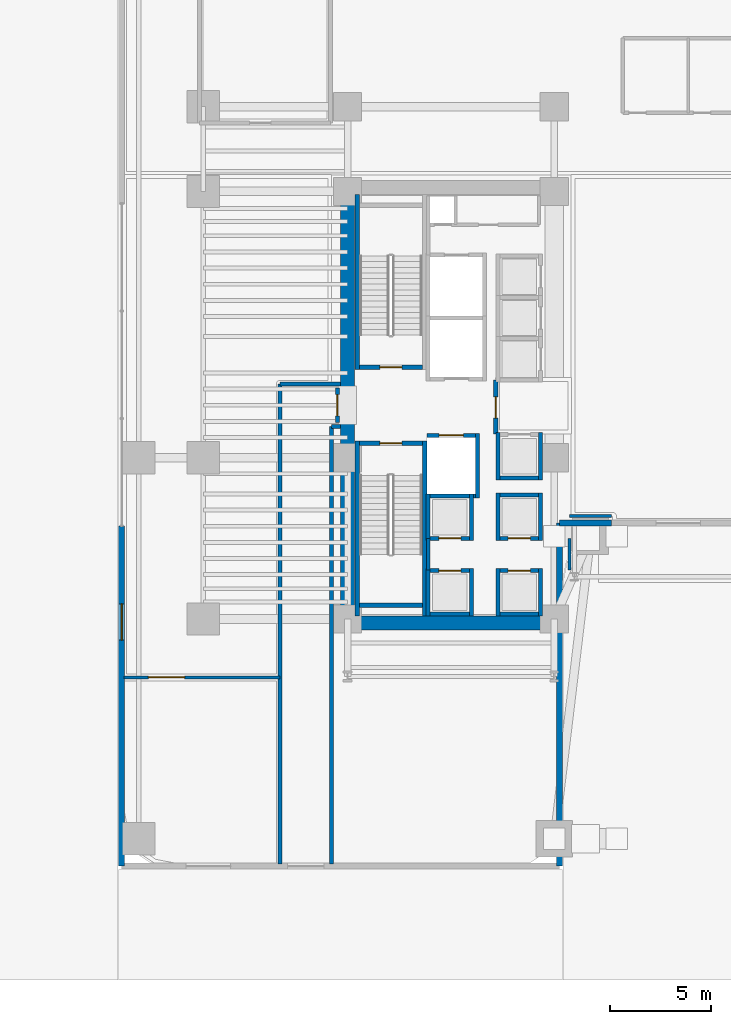
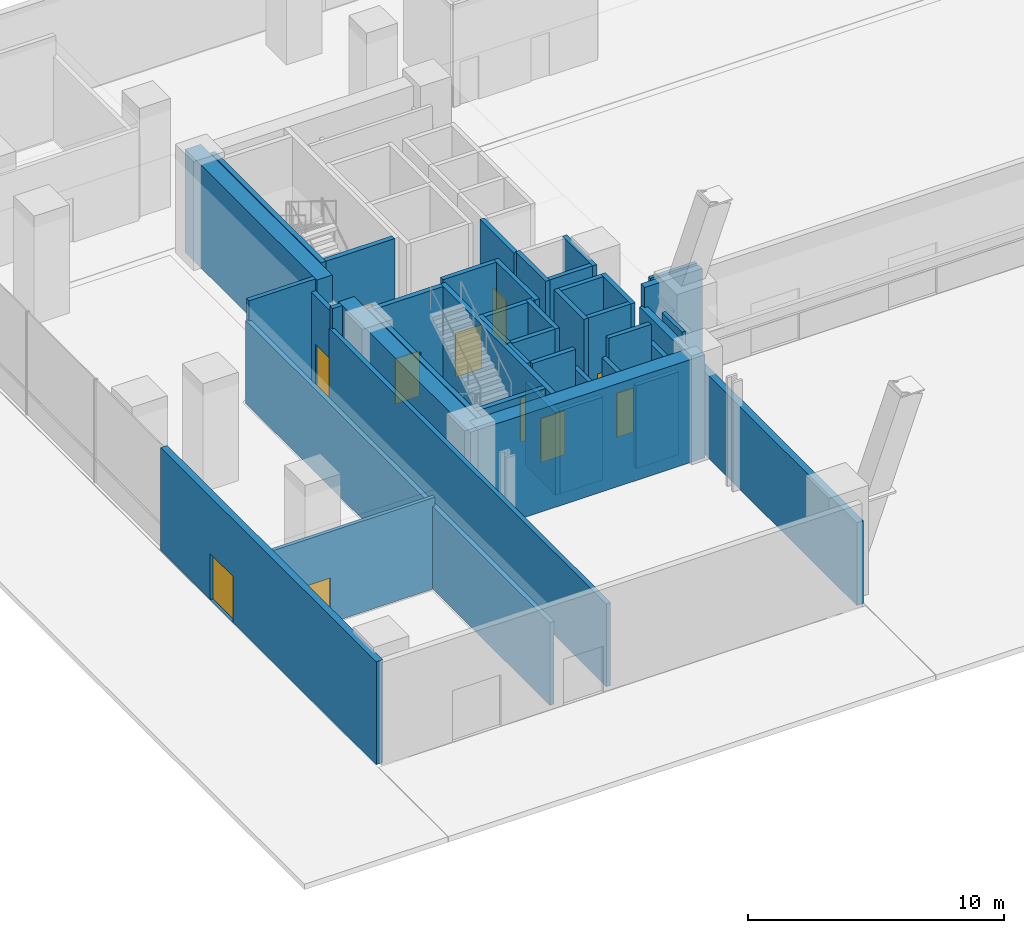
# One storey, part 16 of 27: 43 walls, 11 doors, 11 openings.
"""IFC4 building model written with IfcOpenShell, lengths in metres."""

from ifc_helpers import new_model, si_unit, direction, frame, frame_2d, origin, place, context, subcontext, project, spatial, rectangle, extrude, material, layer, layer_set, type_object, element, fill, save


model = new_model("IFC4")

# Units and contexts
model_context = context("Model", 3, precision=1e-05, world=origin(), true_north=direction((0.0, 1.0)))
body_context = subcontext(model_context, "Body", "Model", "MODEL_VIEW")
ifc_project = project(units=[si_unit("LENGTHUNIT", "METRE"), si_unit("AREAUNIT", "SQUARE_METRE"), si_unit("VOLUMEUNIT", "CUBIC_METRE"), si_unit("PLANEANGLEUNIT", "RADIAN"), si_unit("MASSUNIT", "GRAM", prefix="KILO")], contexts=[model_context])

# Site, building, storey
site_placement = place(None, origin())
site = spatial("IfcSite", under=ifc_project, at=site_placement, CompositionType="ELEMENT")
building_placement = place(site_placement, origin())
building = spatial("IfcBuilding", under=site, at=building_placement, Name="Valdorenza Pilgrim Sanctuary Tower", CompositionType="ELEMENT")
storey_placement = place(building_placement, origin())
storey = spatial("IfcBuildingStorey", under=building, at=storey_placement, Name="L00", CompositionType="ELEMENT", Elevation=0.0)

# Walls
ifc_material_1 = material(Name="Acoustic twin-stud gypsum partition", Category="gypsum")
ifc_layer_1 = layer(ifc_material_1, 0.159912109375, Name="Acoustic twin-stud gypsum partition")
ifc_layer_set_1 = layer_set([ifc_layer_1], Name="Acoustic twin-stud gypsum partition")
wall_type_1 = type_object("IfcWallType", Name="WAL-COR-160", PredefinedType="PARTITIONING", material=ifc_layer_set_1)
wall_1_placement = place(storey_placement, frame((-18.64990234375, -8.179931640625, 0.0), z_axis=(0.0, 0.0, 1.0), x_axis=(0.0, 1.0, 0.0)))
element("IfcWall", 1, at=wall_1_placement, inside=storey, type_object=wall_type_1, Name="L00 Core A South Lift Hall West Wall", PredefinedType="PARTITIONING", context=body_context, shape_type="SweptSolid", body=[
    extrude(rectangle(XDim=1.559814453125, YDim=0.159912109375, at=frame_2d((0.77978515625, 0.0))), origin(), (0.0, 0.0, 1.0), 4.919921875),
])
wall_2_placement = place(storey_placement, frame((-11.64990234375, -8.179931640625, 0.0), z_axis=(0.0, 0.0, 1.0), x_axis=(0.0, 1.0, 0.0)))
element("IfcWall", 2, at=wall_2_placement, inside=storey, type_object=wall_type_1, Name="L00 Core A South Lift Hall East Wall", PredefinedType="PARTITIONING", context=body_context, shape_type="SweptSolid", body=[
    extrude(rectangle(XDim=1.559814453125, YDim=0.159912109375, at=frame_2d((0.77978515625, 0.0))), origin(), (0.0, 0.0, 1.0), 3.95703125),
])

# Wall, opening, door
wall_3_placement = place(storey_placement, frame((-33.72509765625, -13.5, 0.0), z_axis=(0.0, 0.0, 1.0), x_axis=(1.0, 0.0, 0.0)))
wall_3 = element("IfcWall", 3, at=wall_3_placement, inside=storey, type_object=wall_type_1, Name="L00 Pilgrim Bookshop North Wall", PredefinedType="PARTITIONING", context=body_context, shape_type="SweptSolid", body=[
    extrude(rectangle(XDim=7.72509765625, YDim=0.159912109375, at=frame_2d((3.862548828125, 0.0))), origin(), (0.0, 0.0, 1.0), 4.35595703125),
])
opening_1_placement = place(wall_3_placement, frame((1.199951171875, 0.0, 0.0)))
opening_1 = element("IfcOpeningElement", 4, at=opening_1_placement, cuts=wall_3, Name="Opening DR-HL1", PredefinedType="OPENING", context=body_context, shape_type="SweptSolid", body=[
    extrude(rectangle(XDim=1.800048828125, YDim=2.14990234375, at=frame_2d((0.89990234375, 1.074951171875))), frame((0.0, 0.0947265625, 0.0), z_axis=(0.0, -1.0, 0.0), x_axis=(1.0, 0.0, 0.0)), (0.0, 0.0, 1.0), 0.189697265625),
])
ifc_material_2 = material(Name="Acoustic oak and vision-glass double door", Category="glass")
door_type_1 = type_object("IfcDoorType", Name="DR-HALL-1800", OperationType="NOTDEFINED", PredefinedType="DOOR", material=ifc_material_2)
door_1_placement = place(opening_1_placement, origin())
door_1 = element("IfcDoor", 5, at=door_1_placement, inside=storey, type_object=door_type_1, Name="L00 Pilgrim Bookshop Concourse Door", OperationType="DOUBLE_DOOR_SINGLE_SWING", OverallHeight=2.14990234375, OverallWidth=1.800048828125, PredefinedType="DOOR", context=body_context, shape_type="SweptSolid", body=[
    extrude(rectangle(XDim=1.800048828125, YDim=2.14990234375, at=frame_2d((0.89990234375, 1.074951171875))), frame((0.0, 0.02490234375, 0.0), z_axis=(0.0, -1.0, 0.0), x_axis=(1.0, 0.0, 0.0)), (0.0, 0.0, 1.0), 0.050048828125),
])
fill(opening_1, door_1)

# Walls
wall_4_placement = place(storey_placement, frame((-11.64990234375, -5.5, 0.0), z_axis=(0.0, 0.0, 1.0), x_axis=(1.0, 0.0, 0.0)))
element("IfcWall", 6, at=wall_4_placement, inside=storey, type_object=wall_type_1, Name="L00 Central Concourse West Arch Pier Partition", PredefinedType="PARTITIONING", context=body_context, shape_type="SweptSolid", body=[
    extrude(rectangle(XDim=2.099853515625, YDim=0.159912109375, at=frame_2d((1.0498046875, 0.0))), origin(), (0.0, 0.0, 1.0), 4.919921875),
])
ifc_material_3 = material(Name="Concrete C60/75", Category="concrete")
ifc_layer_2 = layer(ifc_material_3, 0.699951171875, Name="Concrete C60/75")
ifc_layer_set_2 = layer_set([ifc_layer_2], Name="Concrete C60/75")
wall_type_2 = type_object("IfcWallType", Name="WAL-COR-700", PredefinedType="SHEAR", material=ifc_layer_set_2)
for number, where, z_axis, x_axis, name in (
    (7, (-22.64990234375, -11.14990234375, 0.0), (0.0, 0.0, 1.0), (0.0, 1.0, 0.0), "L00 Split Core A Shear Wall WS"),
    (8, (-22.64990234375, 0.85009765625, 0.0), (0.0, 0.0, 1.0), (0.0, 1.0, 0.0), "L00 Split Core A Shear Wall WN"),
):
    element("IfcWall", number, at=place(storey_placement, frame(where, z_axis=z_axis, x_axis=x_axis)), inside=storey, type_object=wall_type_2, Name=name, PredefinedType="SHEAR", context=body_context, shape_type="SweptSolid", body=[
        extrude(rectangle(XDim=10.2998046875, YDim=0.699951171875, at=frame_2d((5.14990234375, 0.0))), origin(), (0.0, 0.0, 1.0), 4.919921875),
    ])
wall_5_placement = place(storey_placement, frame((-22.64990234375, -10.800048828125, 0.0), z_axis=(0.0, 0.0, 1.0), x_axis=(1.0, 0.0, 0.0)))
element("IfcWall", 9, at=wall_5_placement, inside=storey, type_object=wall_type_2, Name="L00 Split Core A Shear Wall S", PredefinedType="SHEAR", context=body_context, shape_type="SweptSolid", body=[
    extrude(rectangle(XDim=10.25, YDim=0.699951171875, at=frame_2d((5.125, 0.0))), origin(), (0.0, 0.0, 1.0), 4.919921875),
])

# Wall, opening, door
ifc_material_4 = material(Name="Honed travertine limestone", Category="masonry")
ifc_layer_3 = layer(ifc_material_4, 0.300048828125, Name="Honed travertine limestone")
ifc_layer_set_3 = layer_set([ifc_layer_3], Name="Honed travertine limestone")
wall_type_3 = type_object("IfcWallType", Name="WAL-EXT-300", PredefinedType="SOLIDWALL", material=ifc_layer_set_3)
wall_6_placement = place(storey_placement, frame((-33.85009765625, -22.85009765625, 0.0), z_axis=(0.0, 0.0, 1.0), x_axis=(0.0, 1.0, 0.0)))
wall_6 = element("IfcWall", 10, at=wall_6_placement, inside=storey, type_object=wall_type_3, Name="L00 Podium Honed Travertine Stone Wall W-S", PredefinedType="SOLIDWALL", context=body_context, shape_type="SweptSolid", body=[
    extrude(rectangle(XDim=16.8701171875, YDim=0.300048828125, at=frame_2d((8.43505859375, 0.0))), origin(), (0.0, 0.0, 1.0), 4.919921875),
])
opening_2_placement = place(wall_6_placement, frame((11.199951171875, 0.0, 0.0)))
opening_2 = element("IfcOpeningElement", 11, at=opening_2_placement, cuts=wall_6, Name="Opening D-EXP-01", PredefinedType="OPENING", context=body_context, shape_type="SweptSolid", body=[
    extrude(rectangle(XDim=1.800048828125, YDim=2.199951171875, at=frame_2d((0.89990234375, 1.10009765625))), frame((0.0, 0.1650390625, 0.0), z_axis=(0.0, -1.0, 0.0), x_axis=(1.0, 0.0, 0.0)), (0.0, 0.0, 1.0), 0.329833984375),
])
ifc_material_5 = material(Name="Painted galvanized steel", Category="steel")
door_type_2 = type_object("IfcDoorType", Name="DR-EXT-ESC-1800", OperationType="NOTDEFINED", PredefinedType="DOOR", material=ifc_material_5)
door_2_placement = place(opening_2_placement, origin())
door_2 = element("IfcDoor", 12, at=door_2_placement, inside=storey, type_object=door_type_2, Name="L00 West Concourse Final Exit Door", OperationType="SINGLE_SWING_LEFT", OverallHeight=2.199951171875, OverallWidth=1.800048828125, PredefinedType="DOOR", context=body_context, shape_type="SweptSolid", body=[
    extrude(rectangle(XDim=1.800048828125, YDim=2.199951171875, at=frame_2d((0.89990234375, 1.10009765625))), frame((0.0, 0.02490234375, 0.0), z_axis=(0.0, -1.0, 0.0), x_axis=(1.0, 0.0, 0.0)), (0.0, 0.0, 1.0), 0.050048828125),
])
fill(opening_2, door_2)

# Walls
wall_7_placement = place(storey_placement, frame((-12.14990234375, -22.85009765625, 0.0), z_axis=(0.0, 0.0, 1.0), x_axis=(0.0, 1.0, 0.0)))
element("IfcWall", 13, at=wall_7_placement, inside=storey, type_object=wall_type_3, Name="L00 Portal Arch Stone Cheek Wall ARCH-W", PredefinedType="SOLIDWALL", context=body_context, shape_type="SweptSolid", body=[
    extrude(rectangle(XDim=17.0, YDim=0.300048828125, at=frame_2d((8.5, 0.0))), origin(), (0.0, 0.0, 1.0), 3.95703125),
])
wall_8_placement = place(storey_placement, frame((-12.14990234375, -5.85009765625, 0.0), z_axis=(0.0, 0.0, 1.0), x_axis=(1.0, 0.0, 0.0)))
element("IfcWall", 14, at=wall_8_placement, inside=storey, type_object=wall_type_3, Name="L00 Arch Pier West Stone Jamb", PredefinedType="SOLIDWALL", context=body_context, shape_type="SweptSolid", body=[
    extrude(rectangle(XDim=2.599853515625, YDim=0.300048828125, at=frame_2d((1.2998046875, 0.0))), origin(), (0.0, 0.0, 1.0), 4.919921875),
])

# Wall, opening, door
ifc_material_6 = material(Name="Gypsum shaftwall partition", Category="gypsum")
ifc_layer_4 = layer(ifc_material_6, 0.199951171875, Name="Gypsum shaftwall partition")
ifc_layer_set_4 = layer_set([ifc_layer_4], Name="Gypsum shaftwall partition")
wall_type_4 = type_object("IfcWallType", Name="WAL-FFL-200", PredefinedType="PARTITIONING", material=ifc_layer_set_4)
wall_9_placement = place(storey_placement, frame((-15.300048828125, -1.419921875, 0.0), z_axis=(0.0, 0.0, 1.0), x_axis=(0.0, 1.0, 0.0)))
wall_9 = element("IfcWall", 15, at=wall_9_placement, inside=storey, type_object=wall_type_4, Name="L00 Core A Firefighting Lobby East Wall", PredefinedType="PARTITIONING", context=body_context, shape_type="SweptSolid", body=[
    extrude(rectangle(XDim=2.669921875, YDim=0.199951171875, at=frame_2d((1.3349609375, 0.0))), origin(), (0.0, 0.0, 1.0), 4.919921875),
])
opening_3_placement = place(wall_9_placement, frame((0.780029296875, 0.0, 0.0)))
opening_3 = element("IfcOpeningElement", 16, at=opening_3_placement, cuts=wall_9, Name="Opening DR-FL1", PredefinedType="OPENING", context=body_context, shape_type="SweptSolid", body=[
    extrude(rectangle(XDim=1.050048828125, YDim=2.14990234375, at=frame_2d((0.52490234375, 1.074951171875))), frame((0.0, 0.11474609375, 0.0), z_axis=(0.0, -1.0, 0.0), x_axis=(1.0, 0.0, 0.0)), (0.0, 0.0, 1.0), 0.229736328125),
])
door_type_3 = type_object("IfcDoorType", Name="DR-FFL-1050", OperationType="NOTDEFINED", PredefinedType="DOOR", material=ifc_material_5)
door_3_placement = place(opening_3_placement, origin())
door_3 = element("IfcDoor", 17, at=door_3_placement, inside=storey, type_object=door_type_3, Name="L00 Core A Firefighting Lobby Door", OperationType="SINGLE_SWING_RIGHT", OverallHeight=2.14990234375, OverallWidth=1.050048828125, PredefinedType="DOOR", context=body_context, shape_type="SweptSolid", body=[
    extrude(rectangle(XDim=1.050048828125, YDim=2.14990234375, at=frame_2d((0.52490234375, 1.074951171875))), frame((0.0, 0.02490234375, 0.0), z_axis=(0.0, -1.0, 0.0), x_axis=(1.0, 0.0, 0.0)), (0.0, 0.0, 1.0), 0.050048828125),
])
fill(opening_3, door_3)

wall_10_placement = place(storey_placement, frame((-23.14990234375, -0.85009765625, 0.0), z_axis=(0.0, 0.0, 1.0), x_axis=(0.0, 1.0, 0.0)))
wall_10 = element("IfcWall", 18, at=wall_10_placement, inside=storey, type_object=wall_type_4, Name="L00 Core A Firefighting Lobby West Discharge Wall", PredefinedType="PARTITIONING", context=body_context, shape_type="SweptSolid", body=[
    extrude(rectangle(XDim=1.7001953125, YDim=0.199951171875, at=frame_2d((0.85009765625, 0.0))), origin(), (0.0, 0.0, 1.0), 4.43896484375),
])
opening_4_placement = place(wall_10_placement, frame((0.324951171875, 0.0, 0.0)))
opening_4 = element("IfcOpeningElement", 19, at=opening_4_placement, cuts=wall_10, Name="Opening DR-FL1", PredefinedType="OPENING", context=body_context, shape_type="SweptSolid", body=[
    extrude(rectangle(XDim=1.050048828125, YDim=2.14990234375, at=frame_2d((0.52490234375, 1.074951171875))), frame((0.0, 0.11474609375, 0.0), z_axis=(0.0, -1.0, 0.0), x_axis=(1.0, 0.0, 0.0)), (0.0, 0.0, 1.0), 0.229736328125),
])
door_4_placement = place(opening_4_placement, origin())
door_4 = element("IfcDoor", 20, at=door_4_placement, inside=storey, type_object=door_type_3, Name="L00 Core A Protected Exit Discharge Door", OperationType="SINGLE_SWING_LEFT", OverallHeight=2.14990234375, OverallWidth=1.050048828125, PredefinedType="DOOR", context=body_context, shape_type="SweptSolid", body=[
    extrude(rectangle(XDim=1.050048828125, YDim=2.14990234375, at=frame_2d((0.52490234375, 1.074951171875))), frame((0.0, 0.02490234375, 0.0), z_axis=(0.0, -1.0, 0.0), x_axis=(1.0, 0.0, 0.0)), (0.0, 0.0, 1.0), 0.050048828125),
])
fill(opening_4, door_4)

# Walls
wall_11_placement = place(storey_placement, frame((-26.0, 1.050048828125, 0.0), z_axis=(0.0, 0.0, 1.0), x_axis=(1.0, 0.0, 0.0)))
element("IfcWall", 21, at=wall_11_placement, inside=storey, type_object=wall_type_4, Name="L00 Core A Protected Exit Passage North Wall", PredefinedType="PARTITIONING", context=body_context, shape_type="SweptSolid", body=[
    extrude(rectangle(XDim=3.0, YDim=0.199951171875, at=frame_2d((1.5, 0.0))), origin(), (0.0, 0.0, 1.0), 4.919921875),
])
wall_12_placement = place(storey_placement, frame((-23.449951171875, -1.050048828125, 0.0), z_axis=(0.0, 0.0, 1.0), x_axis=(1.0, 0.0, 0.0)))
element("IfcWall", 22, at=wall_12_placement, inside=storey, type_object=wall_type_4, Name="L00 Core A Protected Exit Passage Throat South Wall", PredefinedType="PARTITIONING", context=body_context, shape_type="SweptSolid", body=[
    extrude(rectangle(XDim=0.449951171875, YDim=0.199951171875, at=frame_2d((0.22509765625, 0.0))), origin(), (0.0, 0.0, 1.0), 4.919921875),
])
wall_13_placement = place(storey_placement, frame((-26.0, -22.739990234375, 0.0), z_axis=(0.0, 0.0, 1.0), x_axis=(0.0, 1.0, 0.0)))
element("IfcWall", 23, at=wall_13_placement, inside=storey, type_object=wall_type_4, Name="L00 Core A Protected Exit Passage West Wall", PredefinedType="PARTITIONING", context=body_context, shape_type="SweptSolid", body=[
    extrude(rectangle(XDim=23.7900390625, YDim=0.199951171875, at=frame_2d((11.89501953125, 0.0))), origin(), (0.0, 0.0, 1.0), 3.95703125),
])
wall_14_placement = place(storey_placement, frame((-23.449951171875, -22.739990234375, 0.0), z_axis=(0.0, 0.0, 1.0), x_axis=(0.0, 1.0, 0.0)))
element("IfcWall", 24, at=wall_14_placement, inside=storey, type_object=wall_type_4, Name="L00 Core A Protected Exit Passage East Wall", PredefinedType="PARTITIONING", context=body_context, shape_type="SweptSolid", body=[
    extrude(rectangle(XDim=21.68994140625, YDim=0.199951171875, at=frame_2d((10.844970703125, 0.0))), origin(), (0.0, 0.0, 1.0), 3.95703125),
])
ifc_material_7 = material(Name="Autoclaved aerated concrete blockwork", Category="masonry")
ifc_layer_5 = layer(ifc_material_7, 0.199951171875, Name="Autoclaved aerated concrete blockwork")
ifc_layer_set_5 = layer_set([ifc_layer_5], Name="Autoclaved aerated concrete blockwork")
wall_type_5 = type_object("IfcWallType", Name="WAL-SHF-200", PredefinedType="MOVABLE", material=ifc_layer_set_5)
wall_15_placement = place(storey_placement, frame((-16.199951171875, -4.60009765625, 0.0), z_axis=(0.0, 0.0, 1.0), x_axis=(0.0, 1.0, 0.0)))
element("IfcWall", 25, at=wall_15_placement, inside=storey, type_object=wall_type_5, Name="L00 Lift FFL-02 Hoistway Wall East", PredefinedType="MOVABLE", context=body_context, shape_type="SweptSolid", body=[
    extrude(rectangle(XDim=3.2001953125, YDim=0.199951171875, at=frame_2d((1.60009765625, 0.0))), origin(), (0.0, 0.0, 1.0), 4.919921875),
])
wall_16_placement = place(storey_placement, frame((-18.719970703125, -4.5, 0.0), z_axis=(0.0, 0.0, 1.0), x_axis=(1.0, 0.0, 0.0)))
element("IfcWall", 26, at=wall_16_placement, inside=storey, type_object=wall_type_5, Name="L00 Lift FFL-02 Hoistway Wall South", PredefinedType="MOVABLE", context=body_context, shape_type="SweptSolid", body=[
    extrude(rectangle(XDim=2.419921875, YDim=0.199951171875, at=frame_2d((1.2099609375, 0.0))), origin(), (0.0, 0.0, 1.0), 4.919921875),
])

# Wall, opening, door
wall_17_placement = place(storey_placement, frame((-18.719970703125, -1.5, 0.0), z_axis=(0.0, 0.0, 1.0), x_axis=(1.0, 0.0, 0.0)))
wall_17 = element("IfcWall", 27, at=wall_17_placement, inside=storey, type_object=wall_type_5, Name="L00 Lift FFL-02 Hoistway Wall North", PredefinedType="MOVABLE", context=body_context, shape_type="SweptSolid", body=[
    extrude(rectangle(XDim=2.419921875, YDim=0.199951171875, at=frame_2d((1.2099609375, 0.0))), origin(), (0.0, 0.0, 1.0), 4.919921875),
])
opening_5_placement = place(wall_17_placement, frame((0.610107421875, 0.0, 0.0)))
opening_5 = element("IfcOpeningElement", 28, at=opening_5_placement, cuts=wall_17, Name="Opening LD-02", PredefinedType="OPENING", context=body_context, shape_type="SweptSolid", body=[
    extrude(rectangle(XDim=1.199951171875, YDim=2.10009765625, at=frame_2d((0.60009765625, 1.050048828125))), frame((0.0, 0.11474609375, 0.0), z_axis=(0.0, -1.0, 0.0), x_axis=(1.0, 0.0, 0.0)), (0.0, 0.0, 1.0), 0.229736328125),
])
ifc_material_8 = material(Name="Brushed stainless steel Grade 316", Category="steel")
door_type_4 = type_object("IfcDoorType", Name="DR-LFT-1200", OperationType="DOUBLE_DOOR_SLIDING", PredefinedType="DOOR", material=ifc_material_8)
door_5_placement = place(opening_5_placement, origin())
door_5 = element("IfcDoor", 29, at=door_5_placement, inside=storey, type_object=door_type_4, Name="L00 Lift FFL-02 Sliding Landing Door", OperationType="DOUBLE_DOOR_SLIDING", OverallHeight=2.10009765625, OverallWidth=1.199951171875, PredefinedType="DOOR", context=body_context, shape_type="SweptSolid", body=[
    extrude(rectangle(XDim=1.199951171875, YDim=2.10009765625, at=frame_2d((0.60009765625, 1.050048828125))), frame((0.0, 0.02490234375, 0.0), z_axis=(0.0, -1.0, 0.0), x_axis=(1.0, 0.0, 0.0)), (0.0, 0.0, 1.0), 0.050048828125),
])
fill(opening_5, door_5)

# Walls
for number, where, z_axis, x_axis, name in (
    (30, (-15.199951171875, -10.449951171875, 0.0), (0.0, 0.0, 1.0), (0.0, 1.0, 0.0), "L00 Lift PL-01 Hoistway Wall West"),
    (31, (-13.080078125, -10.449951171875, 0.0), (0.0, 0.0, 1.0), (0.0, 1.0, 0.0), "L00 Lift PL-01 Hoistway Wall East"),
):
    element("IfcWall", number, at=place(storey_placement, frame(where, z_axis=z_axis, x_axis=x_axis)), inside=storey, type_object=wall_type_5, Name=name, PredefinedType="MOVABLE", context=body_context, shape_type="SweptSolid", body=[
        extrude(rectangle(XDim=2.349853515625, YDim=0.199951171875, at=frame_2d((1.1748046875, 0.0))), origin(), (0.0, 0.0, 1.0), 3.95703125),
    ])
wall_18_placement = place(storey_placement, frame((-15.10009765625, -10.35009765625, 0.0), z_axis=(0.0, 0.0, 1.0), x_axis=(1.0, 0.0, 0.0)))
element("IfcWall", 32, at=wall_18_placement, inside=storey, type_object=wall_type_5, Name="L00 Lift PL-01 Hoistway Wall South", PredefinedType="MOVABLE", context=body_context, shape_type="SweptSolid", body=[
    extrude(rectangle(XDim=1.920166015625, YDim=0.199951171875, at=frame_2d((0.9599609375, 0.0))), origin(), (0.0, 0.0, 1.0), 3.95703125),
])

# Wall, opening, door
wall_19_placement = place(storey_placement, frame((-15.10009765625, -8.199951171875, 0.0), z_axis=(0.0, 0.0, 1.0), x_axis=(1.0, 0.0, 0.0)))
wall_19 = element("IfcWall", 33, at=wall_19_placement, inside=storey, type_object=wall_type_5, Name="L00 Lift PL-01 Hoistway Wall North", PredefinedType="MOVABLE", context=body_context, shape_type="SweptSolid", body=[
    extrude(rectangle(XDim=1.920166015625, YDim=0.199951171875, at=frame_2d((0.9599609375, 0.0))), origin(), (0.0, 0.0, 1.0), 4.919921875),
])
opening_6_placement = place(wall_19_placement, frame((0.409912109375, 0.0, 0.0)))
opening_6 = element("IfcOpeningElement", 34, at=opening_6_placement, cuts=wall_19, Name="Opening LD-01", PredefinedType="OPENING", context=body_context, shape_type="SweptSolid", body=[
    extrude(rectangle(XDim=1.10009765625, YDim=2.10009765625, at=frame_2d((0.550048828125, 1.050048828125))), frame((0.0, 0.11474609375, 0.0), z_axis=(0.0, -1.0, 0.0), x_axis=(1.0, 0.0, 0.0)), (0.0, 0.0, 1.0), 0.229736328125),
])
door_type_5 = type_object("IfcDoorType", Name="DR-LFT-1100", OperationType="DOUBLE_DOOR_SLIDING", PredefinedType="DOOR", material=ifc_material_8)
door_6_placement = place(opening_6_placement, origin())
door_6 = element("IfcDoor", 35, at=door_6_placement, inside=storey, type_object=door_type_5, Name="L00 Lift PL-01 Sliding Landing Door", OperationType="DOUBLE_DOOR_SLIDING", OverallHeight=2.10009765625, OverallWidth=1.10009765625, PredefinedType="DOOR", context=body_context, shape_type="SweptSolid", body=[
    extrude(rectangle(XDim=1.10009765625, YDim=2.10009765625, at=frame_2d((0.550048828125, 1.050048828125))), frame((0.0, 0.02490234375, 0.0), z_axis=(0.0, -1.0, 0.0), x_axis=(1.0, 0.0, 0.0)), (0.0, 0.0, 1.0), 0.050048828125),
])
fill(opening_6, door_6)

# Walls
for number, where, z_axis, x_axis, name in (
    (36, (-15.199951171875, -6.699951171875, 0.0), (0.0, 0.0, 1.0), (0.0, 1.0, 0.0), "L00 Lift PL-02 Hoistway Wall West"),
    (37, (-13.080078125, -6.699951171875, 0.0), (0.0, 0.0, 1.0), (0.0, 1.0, 0.0), "L00 Lift PL-02 Hoistway Wall East"),
):
    element("IfcWall", number, at=place(storey_placement, frame(where, z_axis=z_axis, x_axis=x_axis)), inside=storey, type_object=wall_type_5, Name=name, PredefinedType="MOVABLE", context=body_context, shape_type="SweptSolid", body=[
        extrude(rectangle(XDim=2.349853515625, YDim=0.199951171875, at=frame_2d((1.1748046875, 0.0))), origin(), (0.0, 0.0, 1.0), 4.919921875),
    ])

# Wall, opening, door
wall_20_placement = place(storey_placement, frame((-15.10009765625, -6.60009765625, 0.0), z_axis=(0.0, 0.0, 1.0), x_axis=(1.0, 0.0, 0.0)))
wall_20 = element("IfcWall", 38, at=wall_20_placement, inside=storey, type_object=wall_type_5, Name="L00 Lift PL-02 Hoistway Wall South", PredefinedType="MOVABLE", context=body_context, shape_type="SweptSolid", body=[
    extrude(rectangle(XDim=1.920166015625, YDim=0.199951171875, at=frame_2d((0.9599609375, 0.0))), origin(), (0.0, 0.0, 1.0), 4.919921875),
])
opening_7_placement = place(wall_20_placement, frame((0.409912109375, 0.0, 0.0)))
opening_7 = element("IfcOpeningElement", 39, at=opening_7_placement, cuts=wall_20, Name="Opening LD-01", PredefinedType="OPENING", context=body_context, shape_type="SweptSolid", body=[
    extrude(rectangle(XDim=1.10009765625, YDim=2.10009765625, at=frame_2d((0.550048828125, 1.050048828125))), frame((0.0, 0.11474609375, 0.0), z_axis=(0.0, -1.0, 0.0), x_axis=(1.0, 0.0, 0.0)), (0.0, 0.0, 1.0), 0.229736328125),
])
door_7_placement = place(opening_7_placement, origin())
door_7 = element("IfcDoor", 40, at=door_7_placement, inside=storey, type_object=door_type_5, Name="L00 Lift PL-02 Sliding Landing Door", OperationType="DOUBLE_DOOR_SLIDING", OverallHeight=2.10009765625, OverallWidth=1.10009765625, PredefinedType="DOOR", context=body_context, shape_type="SweptSolid", body=[
    extrude(rectangle(XDim=1.10009765625, YDim=2.10009765625, at=frame_2d((0.550048828125, 1.050048828125))), frame((0.0, 0.02490234375, 0.0), z_axis=(0.0, -1.0, 0.0), x_axis=(1.0, 0.0, 0.0)), (0.0, 0.0, 1.0), 0.050048828125),
])
fill(opening_7, door_7)

# Walls
wall_21_placement = place(storey_placement, frame((-15.10009765625, -4.449951171875, 0.0), z_axis=(0.0, 0.0, 1.0), x_axis=(1.0, 0.0, 0.0)))
element("IfcWall", 41, at=wall_21_placement, inside=storey, type_object=wall_type_5, Name="L00 Lift PL-02 Hoistway Wall North", PredefinedType="MOVABLE", context=body_context, shape_type="SweptSolid", body=[
    extrude(rectangle(XDim=1.920166015625, YDim=0.199951171875, at=frame_2d((0.9599609375, 0.0))), origin(), (0.0, 0.0, 1.0), 4.919921875),
])
for number, where, z_axis, x_axis, name in (
    (42, (-18.64990234375, -10.449951171875, 0.0), (0.0, 0.0, 1.0), (0.0, 1.0, 0.0), "L00 Lift PL-05 Hoistway Wall West"),
    (43, (-16.5, -10.449951171875, 0.0), (0.0, 0.0, 1.0), (0.0, 1.0, 0.0), "L00 Lift PL-05 Hoistway Wall East"),
):
    element("IfcWall", number, at=place(storey_placement, frame(where, z_axis=z_axis, x_axis=x_axis)), inside=storey, type_object=wall_type_5, Name=name, PredefinedType="MOVABLE", context=body_context, shape_type="SweptSolid", body=[
        extrude(rectangle(XDim=2.349853515625, YDim=0.199951171875, at=frame_2d((1.1748046875, 0.0))), origin(), (0.0, 0.0, 1.0), 3.95703125),
    ])
wall_22_placement = place(storey_placement, frame((-18.550048828125, -10.35009765625, 0.0), z_axis=(0.0, 0.0, 1.0), x_axis=(1.0, 0.0, 0.0)))
element("IfcWall", 44, at=wall_22_placement, inside=storey, type_object=wall_type_5, Name="L00 Lift PL-05 Hoistway Wall South", PredefinedType="MOVABLE", context=body_context, shape_type="SweptSolid", body=[
    extrude(rectangle(XDim=1.949951171875, YDim=0.199951171875, at=frame_2d((0.97509765625, 0.0))), origin(), (0.0, 0.0, 1.0), 3.95703125),
])

# Wall, opening, door
wall_23_placement = place(storey_placement, frame((-18.550048828125, -8.199951171875, 0.0), z_axis=(0.0, 0.0, 1.0), x_axis=(1.0, 0.0, 0.0)))
wall_23 = element("IfcWall", 45, at=wall_23_placement, inside=storey, type_object=wall_type_5, Name="L00 Lift PL-05 Hoistway Wall North", PredefinedType="MOVABLE", context=body_context, shape_type="SweptSolid", body=[
    extrude(rectangle(XDim=1.949951171875, YDim=0.199951171875, at=frame_2d((0.97509765625, 0.0))), origin(), (0.0, 0.0, 1.0), 4.919921875),
])
opening_8_placement = place(wall_23_placement, frame((0.425048828125, 0.0, 0.0)))
opening_8 = element("IfcOpeningElement", 46, at=opening_8_placement, cuts=wall_23, Name="Opening LD-01", PredefinedType="OPENING", context=body_context, shape_type="SweptSolid", body=[
    extrude(rectangle(XDim=1.10009765625, YDim=2.10009765625, at=frame_2d((0.550048828125, 1.050048828125))), frame((0.0, 0.11474609375, 0.0), z_axis=(0.0, -1.0, 0.0), x_axis=(1.0, 0.0, 0.0)), (0.0, 0.0, 1.0), 0.229736328125),
])
door_8_placement = place(opening_8_placement, origin())
door_8 = element("IfcDoor", 47, at=door_8_placement, inside=storey, type_object=door_type_5, Name="L00 Lift PL-05 Sliding Landing Door", OperationType="DOUBLE_DOOR_SLIDING", OverallHeight=2.10009765625, OverallWidth=1.10009765625, PredefinedType="DOOR", context=body_context, shape_type="SweptSolid", body=[
    extrude(rectangle(XDim=1.10009765625, YDim=2.10009765625, at=frame_2d((0.550048828125, 1.050048828125))), frame((0.0, 0.02490234375, 0.0), z_axis=(0.0, -1.0, 0.0), x_axis=(1.0, 0.0, 0.0)), (0.0, 0.0, 1.0), 0.050048828125),
])
fill(opening_8, door_8)

# Walls
for number, where, z_axis, x_axis, name in (
    (48, (-18.64990234375, -6.699951171875, 0.0), (0.0, 0.0, 1.0), (0.0, 1.0, 0.0), "L00 Lift PL-11 Hoistway Wall West"),
    (49, (-16.5, -6.699951171875, 0.0), (0.0, 0.0, 1.0), (0.0, 1.0, 0.0), "L00 Lift PL-11 Hoistway Wall East"),
):
    element("IfcWall", number, at=place(storey_placement, frame(where, z_axis=z_axis, x_axis=x_axis)), inside=storey, type_object=wall_type_5, Name=name, PredefinedType="MOVABLE", context=body_context, shape_type="SweptSolid", body=[
        extrude(rectangle(XDim=2.300048828125, YDim=0.199951171875, at=frame_2d((1.14990234375, 0.0))), origin(), (0.0, 0.0, 1.0), 4.919921875),
    ])

# Wall, opening, door
wall_24_placement = place(storey_placement, frame((-18.550048828125, -6.60009765625, 0.0), z_axis=(0.0, 0.0, 1.0), x_axis=(1.0, 0.0, 0.0)))
wall_24 = element("IfcWall", 50, at=wall_24_placement, inside=storey, type_object=wall_type_5, Name="L00 Lift PL-11 Hoistway Wall South", PredefinedType="MOVABLE", context=body_context, shape_type="SweptSolid", body=[
    extrude(rectangle(XDim=1.949951171875, YDim=0.199951171875, at=frame_2d((0.97509765625, 0.0))), origin(), (0.0, 0.0, 1.0), 4.919921875),
])
opening_9_placement = place(wall_24_placement, frame((0.425048828125, 0.0, 0.0)))
opening_9 = element("IfcOpeningElement", 51, at=opening_9_placement, cuts=wall_24, Name="Opening LD-01", PredefinedType="OPENING", context=body_context, shape_type="SweptSolid", body=[
    extrude(rectangle(XDim=1.10009765625, YDim=2.10009765625, at=frame_2d((0.550048828125, 1.050048828125))), frame((0.0, 0.11474609375, 0.0), z_axis=(0.0, -1.0, 0.0), x_axis=(1.0, 0.0, 0.0)), (0.0, 0.0, 1.0), 0.229736328125),
])
door_9_placement = place(opening_9_placement, origin())
door_9 = element("IfcDoor", 52, at=door_9_placement, inside=storey, type_object=door_type_5, Name="L00 Lift PL-11 Sliding Landing Door", OperationType="DOUBLE_DOOR_SLIDING", OverallHeight=2.10009765625, OverallWidth=1.10009765625, PredefinedType="DOOR", context=body_context, shape_type="SweptSolid", body=[
    extrude(rectangle(XDim=1.10009765625, YDim=2.10009765625, at=frame_2d((0.550048828125, 1.050048828125))), frame((0.0, 0.02490234375, 0.0), z_axis=(0.0, -1.0, 0.0), x_axis=(1.0, 0.0, 0.0)), (0.0, 0.0, 1.0), 0.050048828125),
])
fill(opening_9, door_9)

# Walls
for number, where, z_axis, x_axis, name in (
    (53, (-15.199951171875, -3.699951171875, 0.0), (0.0, 0.0, 1.0), (0.0, 1.0, 0.0), "L00 Lift PL-12 Hoistway Wall West"),
    (54, (-13.080078125, -3.699951171875, 0.0), (0.0, 0.0, 1.0), (0.0, 1.0, 0.0), "L00 Lift PL-12 Hoistway Wall East"),
):
    element("IfcWall", number, at=place(storey_placement, frame(where, z_axis=z_axis, x_axis=x_axis)), inside=storey, type_object=wall_type_5, Name=name, PredefinedType="MOVABLE", context=body_context, shape_type="SweptSolid", body=[
        extrude(rectangle(XDim=2.349853515625, YDim=0.199951171875, at=frame_2d((1.1748046875, 0.0))), origin(), (0.0, 0.0, 1.0), 4.919921875),
    ])
wall_25_placement = place(storey_placement, frame((-15.10009765625, -3.60009765625, 0.0), z_axis=(0.0, 0.0, 1.0), x_axis=(1.0, 0.0, 0.0)))
element("IfcWall", 55, at=wall_25_placement, inside=storey, type_object=wall_type_5, Name="L00 Lift PL-12 Hoistway Wall South", PredefinedType="MOVABLE", context=body_context, shape_type="SweptSolid", body=[
    extrude(rectangle(XDim=1.920166015625, YDim=0.199951171875, at=frame_2d((0.9599609375, 0.0))), origin(), (0.0, 0.0, 1.0), 4.919921875),
])
ifc_material_9 = material(Name="Concrete C40/50", Category="concrete")
ifc_layer_6 = layer(ifc_material_9, 0.219970703125, Name="Concrete C40/50")
ifc_layer_set_6 = layer_set([ifc_layer_6], Name="Concrete C40/50")
wall_type_6 = type_object("IfcWallType", Name="WAL-STR-SHF-220", PredefinedType="SHEAR", material=ifc_layer_set_6)
wall_26_placement = place(storey_placement, frame((-22.159912109375, 1.780029296875, 0.0), z_axis=(0.0, 0.0, 1.0), x_axis=(0.0, 1.0, 0.0)))
element("IfcWall", 56, at=wall_26_placement, inside=storey, type_object=wall_type_6, Name="L00 ST-A1 Structural Stairwell Wall W", PredefinedType="SHEAR", context=body_context, shape_type="SweptSolid", body=[
    extrude(rectangle(XDim=8.669921875, YDim=0.219970703125, at=frame_2d((4.3349609375, 0.0))), origin(), (0.0, 0.0, 1.0), 4.919921875),
])

# Wall, opening, door
wall_27_placement = place(storey_placement, frame((-22.050048828125, 1.889892578125, 0.0), z_axis=(0.0, 0.0, 1.0), x_axis=(1.0, 0.0, 0.0)))
wall_27 = element("IfcWall", 57, at=wall_27_placement, inside=storey, type_object=wall_type_6, Name="L00 ST-A1 Structural Stairwell Wall S", PredefinedType="SHEAR", context=body_context, shape_type="SweptSolid", body=[
    extrude(rectangle(XDim=3.110107421875, YDim=0.219970703125, at=frame_2d((1.55517578125, 0.0))), origin(), (0.0, 0.0, 1.0), 4.919921875),
])
opening_10_placement = place(wall_27_placement, frame((1.0, 0.0, 0.0)))
opening_10 = element("IfcOpeningElement", 58, at=opening_10_placement, cuts=wall_27, Name="Opening DR-ST1", PredefinedType="OPENING", context=body_context, shape_type="SweptSolid", body=[
    extrude(rectangle(XDim=1.10009765625, YDim=2.14990234375, at=frame_2d((0.550048828125, 1.074951171875))), frame((0.0, 0.125, 0.0), z_axis=(0.0, -1.0, 0.0), x_axis=(1.0, 0.0, 0.0)), (0.0, 0.0, 1.0), 0.249755859375),
])
door_type_6 = type_object("IfcDoorType", Name="DR-STAIR-1100", OperationType="NOTDEFINED", PredefinedType="DOOR", material=ifc_material_5)
door_10_placement = place(opening_10_placement, frame((1.10009765625, 0.0, 0.0), z_axis=(0.0, 0.0, 1.0), x_axis=(-1.0, 0.0, 0.0)))
door_10 = element("IfcDoor", 59, at=door_10_placement, inside=storey, type_object=door_type_6, Name="L00 Exit Stair ST-A1 Door", OperationType="SINGLE_SWING_LEFT", OverallHeight=2.14990234375, OverallWidth=1.10009765625, PredefinedType="DOOR", context=body_context, shape_type="SweptSolid", body=[
    extrude(rectangle(XDim=1.10009765625, YDim=2.14990234375, at=frame_2d((0.550048828125, 1.074951171875))), frame((0.0, 0.02490234375, 0.0), z_axis=(0.0, -1.0, 0.0), x_axis=(1.0, 0.0, 0.0)), (0.0, 0.0, 1.0), 0.050048828125),
])
fill(opening_10, door_10)

# Walls
for number, where, z_axis, x_axis, name in (
    (60, (-22.159912109375, -10.449951171875, 0.0), (0.0, 0.0, 1.0), (0.0, 1.0, 0.0), "L00 ST-A2 Structural Stairwell Wall W"),
    (61, (-18.830078125, -10.449951171875, 0.0), (0.0, 0.0, 1.0), (0.0, 1.0, 0.0), "L00 ST-A2 Structural Stairwell Wall E"),
):
    element("IfcWall", number, at=place(storey_placement, frame(where, z_axis=z_axis, x_axis=x_axis)), inside=storey, type_object=wall_type_6, Name=name, PredefinedType="SHEAR", context=body_context, shape_type="SweptSolid", body=[
        extrude(rectangle(XDim=8.669921875, YDim=0.219970703125, at=frame_2d((4.3349609375, 0.0))), origin(), (0.0, 0.0, 1.0), 4.919921875),
    ])
wall_28_placement = place(storey_placement, frame((-22.050048828125, -9.909912109375, 0.0), z_axis=(0.0, 0.0, 1.0), x_axis=(1.0, 0.0, 0.0)))
element("IfcWall", 62, at=wall_28_placement, inside=storey, type_object=wall_type_6, Name="L00 ST-A2 Structural Stairwell Wall S", PredefinedType="SHEAR", context=body_context, shape_type="SweptSolid", body=[
    extrude(rectangle(XDim=3.110107421875, YDim=0.219970703125, at=frame_2d((1.55517578125, 0.0))), origin(), (0.0, 0.0, 1.0), 4.919921875),
])

# Wall, opening, door
wall_29_placement = place(storey_placement, frame((-22.050048828125, -1.889892578125, 0.0), z_axis=(0.0, 0.0, 1.0), x_axis=(1.0, 0.0, 0.0)))
wall_29 = element("IfcWall", 63, at=wall_29_placement, inside=storey, type_object=wall_type_6, Name="L00 ST-A2 Structural Stairwell Wall N", PredefinedType="SHEAR", context=body_context, shape_type="SweptSolid", body=[
    extrude(rectangle(XDim=3.110107421875, YDim=0.219970703125, at=frame_2d((1.55517578125, 0.0))), origin(), (0.0, 0.0, 1.0), 4.919921875),
])
opening_11_placement = place(wall_29_placement, frame((1.0, 0.0, 0.0)))
opening_11 = element("IfcOpeningElement", 64, at=opening_11_placement, cuts=wall_29, Name="Opening DR-ST1", PredefinedType="OPENING", context=body_context, shape_type="SweptSolid", body=[
    extrude(rectangle(XDim=1.10009765625, YDim=2.14990234375, at=frame_2d((0.550048828125, 1.074951171875))), frame((0.0, 0.125, 0.0), z_axis=(0.0, -1.0, 0.0), x_axis=(1.0, 0.0, 0.0)), (0.0, 0.0, 1.0), 0.249755859375),
])
door_11_placement = place(opening_11_placement, origin())
door_11 = element("IfcDoor", 65, at=door_11_placement, inside=storey, type_object=door_type_6, Name="L00 Exit Stair ST-A2 Door", OperationType="SINGLE_SWING_RIGHT", OverallHeight=2.14990234375, OverallWidth=1.10009765625, PredefinedType="DOOR", context=body_context, shape_type="SweptSolid", body=[
    extrude(rectangle(XDim=1.10009765625, YDim=2.14990234375, at=frame_2d((0.550048828125, 1.074951171875))), frame((0.0, 0.02490234375, 0.0), z_axis=(0.0, -1.0, 0.0), x_axis=(1.0, 0.0, 0.0)), (0.0, 0.0, 1.0), 0.050048828125),
])
fill(opening_11, door_11)

save(model, "model.ifc")
